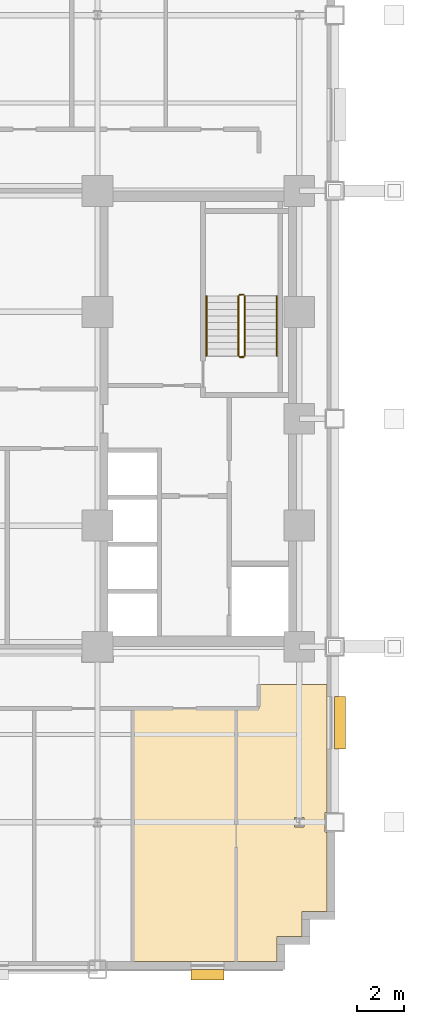
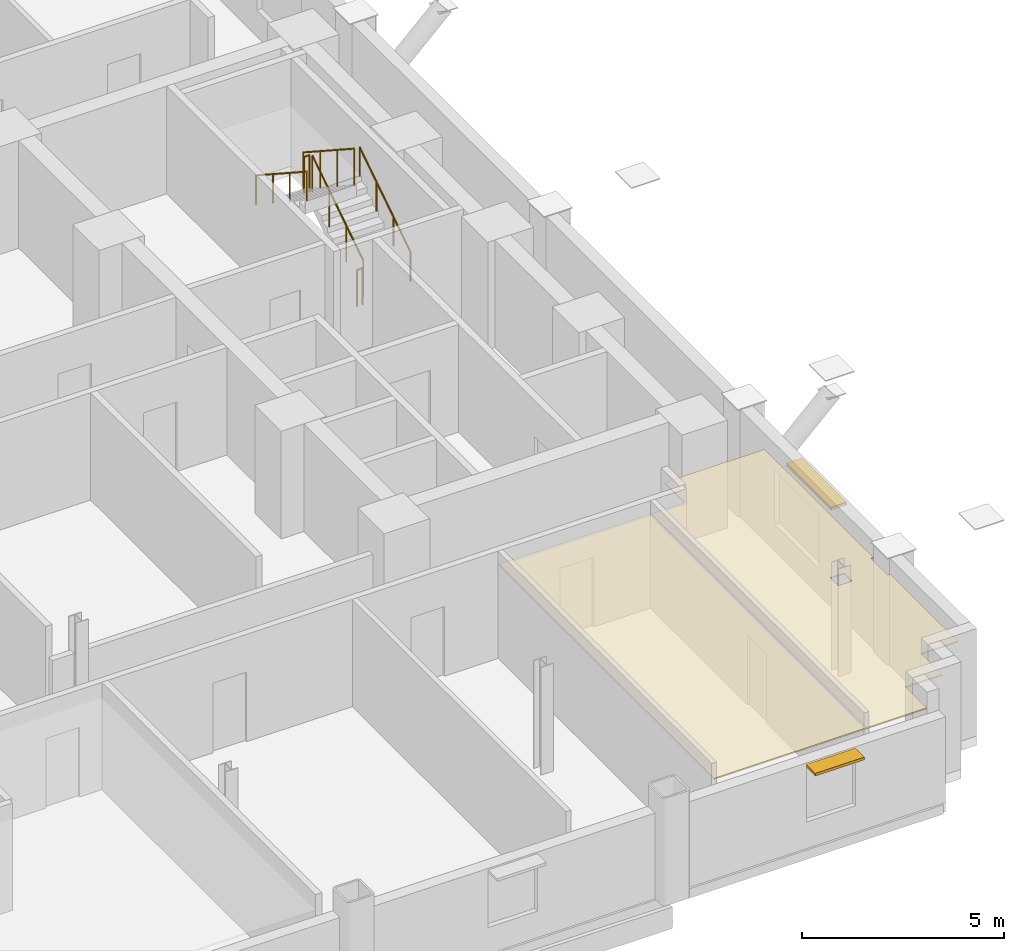
# One storey, part 11 of 12: 6 railings, 2 coverings, 2 shading devices.
"""IFC4 building model written with IfcOpenShell, lengths in metres."""

from ifc_helpers import new_model, si_unit, direction, frame, origin, origin_2d, place, context, subcontext, project, spatial, polyline, rectangle, circle, outline, extrude, source, transform, mapped, material, layer, layer_set, type_object, type_shapes, element, save


model = new_model("IFC4")

# Units and contexts
model_context = context("Model", 3, precision=1e-05, world=origin(), true_north=direction((0.0, 1.0)))
body_context = subcontext(model_context, "Body", "Model", "MODEL_VIEW")
ifc_project = project(units=[si_unit("LENGTHUNIT", "METRE"), si_unit("AREAUNIT", "SQUARE_METRE"), si_unit("VOLUMEUNIT", "CUBIC_METRE"), si_unit("PLANEANGLEUNIT", "RADIAN"), si_unit("MASSUNIT", "GRAM", prefix="KILO")], contexts=[model_context])

# Site, building, storey
site_placement = place(None, origin())
site = spatial("IfcSite", under=ifc_project, at=site_placement, CompositionType="ELEMENT")
building_placement = place(site_placement, origin())
building = spatial("IfcBuilding", under=site, at=building_placement, Name="Nuvemarco Arch Tower", CompositionType="ELEMENT")
storey_placement = place(building_placement, frame((0.0, 0.0, 53.14990234375)))
storey = spatial("IfcBuildingStorey", under=building, at=storey_placement, Name="L13", CompositionType="ELEMENT", Elevation=53.14990234375)

# Coverings
ifc_material_1 = material(Name="Mineral acoustic ceiling tile")
ifc_layer = layer(ifc_material_1, 0.0400390625, Name="COV-ACOUSTIC-CLG")
ifc_layer_set = layer_set([ifc_layer], Name="Mineral acoustic ceiling tile")
covering_type = type_object("IfcCoveringType", Name="COV-ACOUSTIC-CLG", PredefinedType="CEILING", material=ifc_layer_set)
covering_1_placement = place(storey_placement, frame((0.0, 0.0, 2.72998046875)))
element("IfcCovering", 1, at=covering_1_placement, inside=storey, type_object=covering_type, Name="L13 suspended acoustic ceiling 6", PredefinedType="CEILING", context=body_context, shape_type="SweptSolid", body=[
    extrude(outline(polyline([(10.489990234375, -22.860107421875), (10.489990234375, -12.199951171875), (14.840087890625, -12.199951171875), (14.840087890625, -22.860107421875), (10.489990234375, -22.860107421875)])), origin(), (0.0, 0.0, 1.0), 0.0400390625),
])
covering_2_placement = place(storey_placement, frame((0.0, 0.0, 2.72998046875)))
element("IfcCovering", 2, at=covering_2_placement, inside=storey, type_object=covering_type, Name="L13 suspended acoustic ceiling 8", PredefinedType="CEILING", context=body_context, shape_type="SweptSolid", body=[
    extrude(outline(polyline([(16.56005859375, -22.860107421875), (14.840087890625, -22.860107421875), (14.840087890625, -12.199951171875), (15.800048828125, -12.199951171875), (15.800048828125, -11.199951171875), (18.659912109375, -11.199951171875), (18.659912109375, -16.5849609375), (18.5849609375, -16.5849609375), (18.5849609375, -17.4150390625), (18.659912109375, -17.4150390625), (18.659912109375, -20.760009765625), (17.610107421875, -20.760009765625), (17.610107421875, -21.81005859375), (16.56005859375, -21.81005859375), (16.56005859375, -22.860107421875)]), holes=[polyline([(17.695068359375, -17.195068359375), (17.695068359375, -16.804931640625), (17.304931640625, -16.804931640625), (17.304931640625, -17.195068359375), (17.695068359375, -17.195068359375)])]), origin(), (0.0, 0.0, 1.0), 0.0400390625),
])

# Railings
ifc_material_2 = material(Name="Brushed stainless steel handrail", Category="steel")
railing_type_1 = type_object("IfcRailingType", Name="RL-HANDRAIL-900", PredefinedType="HANDRAIL", material=ifc_material_2)
railing_1_placement = place(storey_placement, frame((16.550048828125, 2.64990234375, 0.1826171875)))
element("IfcRailing", 3, at=railing_1_placement, inside=storey, type_object=railing_type_1, Name="L13 ST-2 stair handrail 1", PredefinedType="HANDRAIL", context=body_context, shape_type="SweptSolid", body=[
    extrude(circle(Radius=0.02392578125, at=origin_2d()), frame((0.0, 0.0, 0.8759765625), z_axis=(0.0, 0.837749427056, 0.546054848405), x_axis=(-1.0, 0.0, 0.0)), (0.0, 0.0, 1.0), 3.008056640625),
    extrude(circle(Radius=0.02099609375, at=origin_2d()), origin(), (0.0, 0.0, 1.0), 0.851806640625),
    extrude(circle(Radius=0.02099609375, at=origin_2d()), frame((0.0, 0.840087890625, 0.547607421875)), (0.0, 0.0, 1.0), 0.851806640625),
    extrude(circle(Radius=0.02099609375, at=origin_2d()), frame((0.0, 1.679931640625, 1.094970703125)), (0.0, 0.0, 1.0), 0.851806640625),
    extrude(circle(Radius=0.02099609375, at=origin_2d()), frame((0.0, 2.52001953125, 1.642578125)), (0.0, 0.0, 1.0), 0.851806640625),
])
railing_2_placement = place(storey_placement, frame((13.590087890625, 5.169921875, 2.007568359375)))
element("IfcRailing", 4, at=railing_2_placement, inside=storey, type_object=railing_type_1, Name="L13 ST-2 stair handrail 2", PredefinedType="HANDRAIL", context=body_context, shape_type="SweptSolid", body=[
    extrude(circle(Radius=0.02392578125, at=origin_2d()), frame((0.0, 0.0, 0.8759765625), z_axis=(0.0, -0.837749427056, 0.546054848405), x_axis=(1.0, 0.0, 0.0)), (0.0, 0.0, 1.0), 3.008056640625),
    extrude(circle(Radius=0.02099609375, at=origin_2d()), origin(), (0.0, 0.0, 1.0), 0.851806640625),
    extrude(circle(Radius=0.02099609375, at=origin_2d()), frame((0.0, -0.840087890625, 0.547607421875)), (0.0, 0.0, 1.0), 0.851806640625),
    extrude(circle(Radius=0.02099609375, at=origin_2d()), frame((0.0, -1.679931640625, 1.094970703125)), (0.0, 0.0, 1.0), 0.851806640625),
    extrude(circle(Radius=0.02099609375, at=origin_2d()), frame((0.0, -2.52001953125, 1.642578125)), (0.0, 0.0, 1.0), 0.851806640625),
])
ifc_material_3 = material(Name="Painted balustrade steel S355", Category="steel")
railing_type_2 = type_object("IfcRailingType", Name="RL-STAIR-GUARD", PredefinedType="GUARDRAIL", material=ifc_material_3)
railing_3_placement = place(storey_placement, frame((15.199951171875, 2.64990234375, 0.1826171875)))
element("IfcRailing", 5, at=railing_3_placement, inside=storey, type_object=railing_type_2, Name="L13 ST-2 stair guard 1", PredefinedType="GUARDRAIL", context=body_context, shape_type="SweptSolid", body=[
    extrude(circle(Radius=0.02392578125, at=origin_2d()), frame((0.0, 0.0, 1.09619140625), z_axis=(0.0, 0.837749427056, 0.546054848405), x_axis=(-1.0, 0.0, 0.0)), (0.0, 0.0, 1.0), 3.008056640625),
    extrude(circle(Radius=0.02099609375, at=origin_2d()), origin(), (0.0, 0.0, 1.0), 1.072021484375),
    extrude(circle(Radius=0.02099609375, at=origin_2d()), frame((0.0, 0.840087890625, 0.547607421875)), (0.0, 0.0, 1.0), 1.072021484375),
    extrude(circle(Radius=0.02099609375, at=origin_2d()), frame((0.0, 1.679931640625, 1.094970703125)), (0.0, 0.0, 1.0), 1.072021484375),
    extrude(circle(Radius=0.02099609375, at=origin_2d()), frame((0.0, 2.52001953125, 1.642578125)), (0.0, 0.0, 1.0), 1.072021484375),
])
railing_4_placement = place(storey_placement, frame((15.14990234375, 5.219970703125, 1.8251953125)))
element("IfcRailing", 6, at=railing_4_placement, inside=storey, type_object=railing_type_2, Name="L13 ST-2 stair guard 2", PredefinedType="GUARDRAIL", context=body_context, shape_type="SweptSolid", body=[
    extrude(circle(Radius=0.02392578125, at=origin_2d()), frame((0.0, 0.0, 1.09619140625), z_axis=(-1.0, 0.0, 0.0), x_axis=(0.0, -1.0, 0.0)), (0.0, 0.0, 1.0), 0.159912109375),
    extrude(circle(Radius=0.02099609375, at=origin_2d()), origin(), (0.0, 0.0, 1.0), 1.072021484375),
    extrude(circle(Radius=0.02099609375, at=origin_2d()), frame((-0.159912109375, 0.0, 0.0)), (0.0, 0.0, 1.0), 1.072021484375),
])
railing_5_placement = place(storey_placement, frame((14.93994140625, 5.169921875, 2.007568359375)))
element("IfcRailing", 7, at=railing_5_placement, inside=storey, type_object=railing_type_2, Name="L13 ST-2 stair guard 3", PredefinedType="GUARDRAIL", context=body_context, shape_type="SweptSolid", body=[
    extrude(circle(Radius=0.02392578125, at=origin_2d()), frame((0.0, 0.0, 1.09619140625), z_axis=(0.0, -0.837749427056, 0.546054848405), x_axis=(1.0, 0.0, 0.0)), (0.0, 0.0, 1.0), 3.008056640625),
    extrude(circle(Radius=0.02099609375, at=origin_2d()), origin(), (0.0, 0.0, 1.0), 1.072021484375),
    extrude(circle(Radius=0.02099609375, at=origin_2d()), frame((0.0, -0.840087890625, 0.547607421875)), (0.0, 0.0, 1.0), 1.072021484375),
    extrude(circle(Radius=0.02099609375, at=origin_2d()), frame((0.0, -1.679931640625, 1.094970703125)), (0.0, 0.0, 1.0), 1.072021484375),
    extrude(circle(Radius=0.02099609375, at=origin_2d()), frame((0.0, -2.52001953125, 1.642578125)), (0.0, 0.0, 1.0), 1.072021484375),
])
railing_6_placement = place(storey_placement, frame((15.14990234375, 2.60009765625, 0.0)))
element("IfcRailing", 8, at=railing_6_placement, inside=storey, type_object=railing_type_2, Name="L13 ST-2 stair guard 4", PredefinedType="GUARDRAIL", context=body_context, shape_type="SweptSolid", body=[
    extrude(circle(Radius=0.02392578125, at=origin_2d()), frame((0.0, 0.0, 1.09619140625), z_axis=(-1.0, 0.0, 0.0), x_axis=(0.0, -1.0, 0.0)), (0.0, 0.0, 1.0), 0.159912109375),
    extrude(circle(Radius=0.02099609375, at=origin_2d()), origin(), (0.0, 0.0, 1.0), 1.072021484375),
    extrude(circle(Radius=0.02099609375, at=origin_2d()), frame((-0.159912109375, 0.0, 0.0)), (0.0, 0.0, 1.0), 1.072021484375),
])

# Shading devices
ifc_material_4 = material(Name="Anodised aluminium 6063-T6", Category="aluminium")
shading_device_type_1 = type_object("IfcShadingDeviceType", Name="SHD-BRISE-SOLEIL", PredefinedType="USERDEFINED", material=ifc_material_4)
shared_shape_1 = source(origin(), body_context, "Body", "SweptSolid", [
    extrude(rectangle(XDim=2.199951171875, YDim=0.449951171875, at=origin_2d()), origin(), (0.0, 0.0, 1.0), 0.080078125),
])
type_shapes(shading_device_type_1, [shared_shape_1])
shading_device_1_placement = place(storey_placement, frame((19.215087890625, -12.802490234375, 2.455078125), z_axis=(0.0, 0.0, 1.0), x_axis=(0.0, 1.0, 0.0)))
element("IfcShadingDevice", 9, at=shading_device_1_placement, inside=storey, type_object=shading_device_type_1, Name="L13 horizontal brise-soleil sunshade", ObjectType="SUNSHADE", PredefinedType="USERDEFINED", context=body_context, shape_type="MappedRepresentation", body=[
    mapped(shared_shape_1, transform((0.0, 0.0, 0.0), scale=1.0)),
])
shading_device_type_2 = type_object("IfcShadingDeviceType", Name="SHD-BRISE-NARROW", PredefinedType="USERDEFINED", material=ifc_material_4)
shared_shape_2 = source(origin(), body_context, "Body", "SweptSolid", [
    extrude(rectangle(XDim=1.39990234375, YDim=0.449951171875, at=origin_2d()), origin(), (0.0, 0.0, 1.0), 0.080078125),
])
type_shapes(shading_device_type_2, [shared_shape_2])
shading_device_2_placement = place(storey_placement, frame((13.628662109375, -23.4150390625, 2.455078125), z_axis=(0.0, 0.0, 1.0), x_axis=(1.0, 0.0, 0.0)))
element("IfcShadingDevice", 10, at=shading_device_2_placement, inside=storey, type_object=shading_device_type_2, Name="L13 horizontal brise-soleil sunshade", ObjectType="SUNSHADE", PredefinedType="USERDEFINED", context=body_context, shape_type="MappedRepresentation", body=[
    mapped(shared_shape_2, transform((0.0, 0.0, 0.0), scale=1.0)),
])

save(model, "model.ifc")
